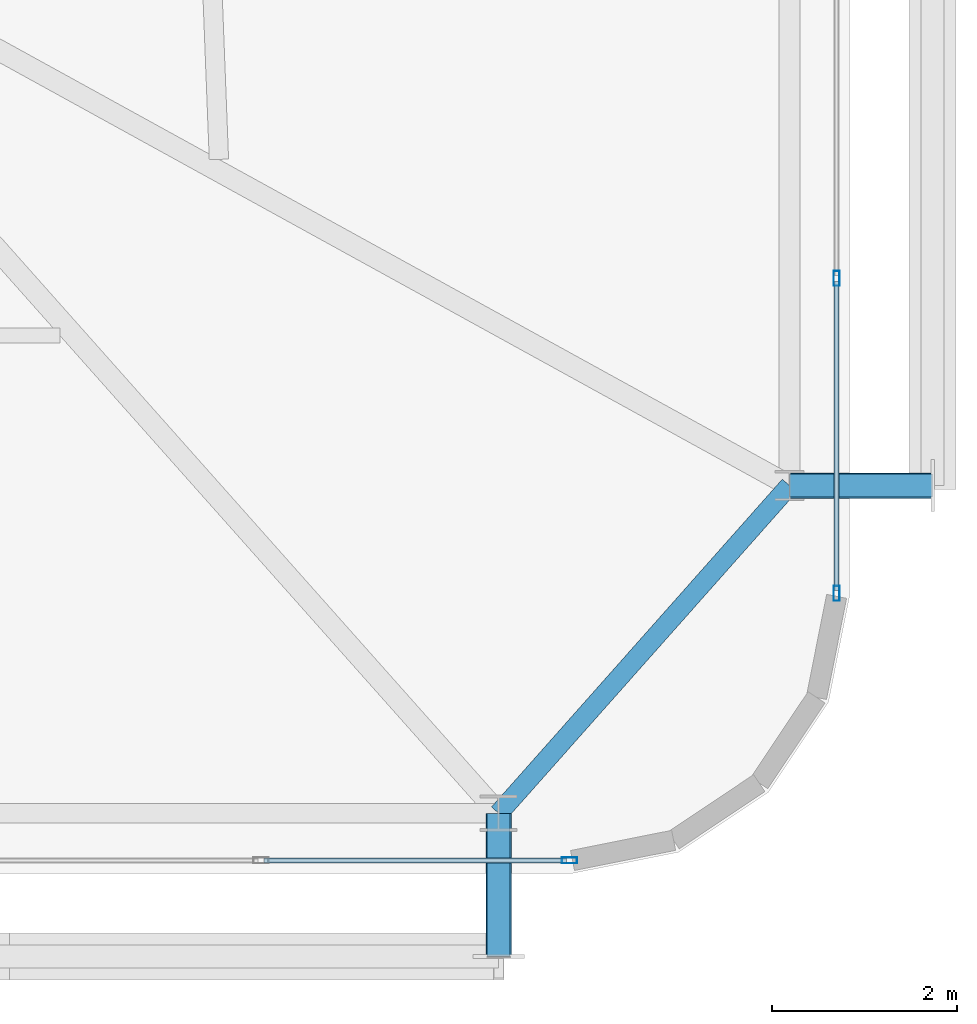
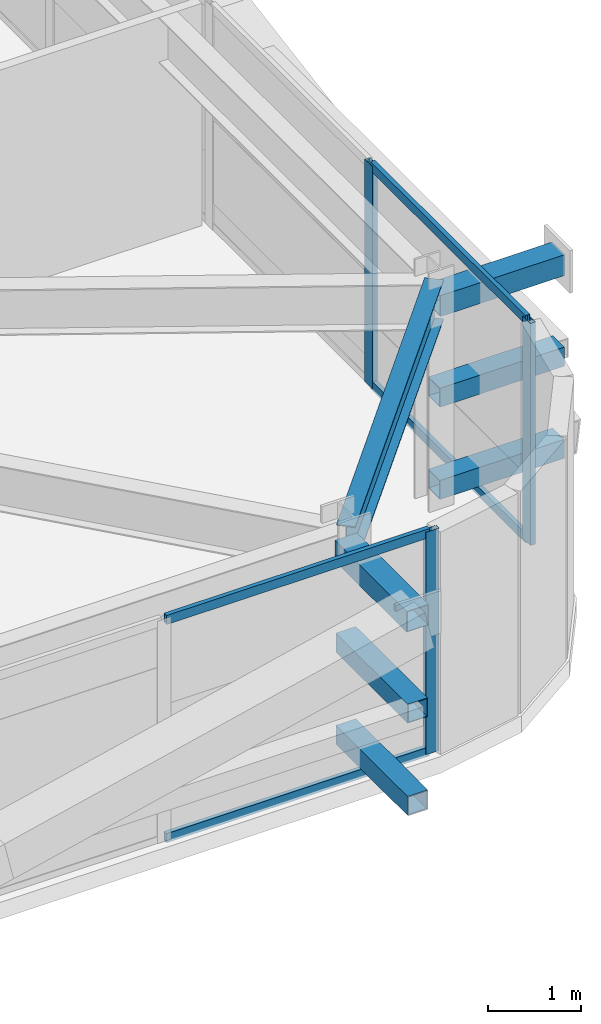
# One storey, part 24 of 58: 13 members, 1 beam, 2 elements without a shape of their own.
"""IFC4 building model written with IfcOpenShell, lengths in metres."""

from ifc_helpers import new_model, si_unit, direction, frame, origin, origin_2d, place, context, subcontext, project, spatial, hollow_rectangle, i_section, extrude, source, transform, mapped, material, layer, layer_set, material_profile, profile_set, type_object, element, aggregate, save


model = new_model("IFC4")

# Units and contexts
model_context = context("Model", 3, precision=1e-05, world=origin(), true_north=direction((0.0, 1.0)))
body_context = subcontext(model_context, "Body", "Model", "MODEL_VIEW")
ifc_project = project(units=[si_unit("LENGTHUNIT", "METRE"), si_unit("AREAUNIT", "SQUARE_METRE"), si_unit("VOLUMEUNIT", "CUBIC_METRE"), si_unit("PLANEANGLEUNIT", "RADIAN"), si_unit("MASSUNIT", "GRAM", prefix="KILO")], contexts=[model_context])

# Site, building, storey
site_placement = place(None, origin())
site = spatial("IfcSite", under=ifc_project, at=site_placement, CompositionType="ELEMENT")
building_placement = place(site_placement, origin())
building = spatial("IfcBuilding", under=site, at=building_placement, Name="Taldren Reach Tower", CompositionType="ELEMENT")
storey_placement = place(building_placement, frame((0.0, 0.0, 54.60009765625)))
storey = spatial("IfcBuildingStorey", under=building, at=storey_placement, Name="L16", CompositionType="ELEMENT", Elevation=54.60009765625)

# Beam
ifc_material_1 = material(Name="Steel Gr 350 (350PLUS)", Category="steel")
ifc_material_profile_1 = material_profile(ifc_material_1, i_section(OverallWidth=0.208984375, OverallDepth=0.528076171875, WebThickness=0.009521484375, FlangeThickness=0.01318359375, at=origin_2d()), Name="530UB82.0")
ifc_profile_set_1 = profile_set([ifc_material_profile_1], Name="Steel Gr 350 (350PLUS)")
beam_type = type_object("IfcBeamType", Name="SP-UB530B", PredefinedType="SPANDREL", material=ifc_profile_set_1)
shared_shape_1 = source(origin(), body_context, "Body", "SweptSolid", [
    extrude(i_section(OverallWidth=0.208984375, OverallDepth=0.528076171875, WebThickness=0.009521484375, FlangeThickness=0.01318359375, at=origin_2d()), origin(), (0.0, 0.0, 1.0), 4.74609375),
])
beam_placement = place(storey_placement, frame((61.199951171875, 2.14990234375, 2.666015625), z_axis=(0.663721843779, 0.747979487747, 0.0), x_axis=(-0.747979487747, 0.663721843779, 0.0)))
element("IfcBeam", 1, at=beam_placement, inside=storey, type_object=beam_type, Name="Perimeter spandrel B1 S6-E1 L16", PredefinedType="SPANDREL", context=body_context, shape_type="MappedRepresentation", body=[
    mapped(shared_shape_1, transform((0.0, 0.0, 0.0), scale=1.0)),
])

# Members
ifc_material_2 = material(Name="Steel Gr 450 (C450L0)", Category="steel")
ifc_material_profile_2 = material_profile(ifc_material_2, hollow_rectangle(XDim=0.27490234375, YDim=0.27490234375, WallThickness=0.00927734375, at=origin_2d()), Name="275x275x9.3SHS")
ifc_profile_set_2 = profile_set([ifc_material_profile_2], Name="Steel Gr 450 (C450L0)")
member_type_1 = type_object("IfcMemberType", Name="MB-TIE273", PredefinedType="STRUT", material=ifc_profile_set_2)
shared_shape_2 = source(origin(), body_context, "Body", "SweptSolid", [
    extrude(hollow_rectangle(XDim=0.27490234375, YDim=0.27490234375, WallThickness=0.00927734375, at=origin_2d()), origin(), (0.0, 0.0, 1.0), 1.5498046875),
])
for number, where, z_axis, x_axis, name in (
    (2, (61.199951171875, 2.14990234375, 2.64990234375), (0.0, -1.0, 0.0), (1.0, 0.0, 0.0), "Exoskeleton diaphragm tie strut B1-S6 L16"),
    (3, (64.35009765625, 5.699951171875, 2.64990234375), (1.0, 0.0, 0.0), (0.0, 1.0, 0.0), "Exoskeleton diaphragm tie strut B1-E1 L16"),
):
    element("IfcMember", number, at=place(storey_placement, frame(where, z_axis=z_axis, x_axis=x_axis)), inside=storey, type_object=member_type_1, Name=name, PredefinedType="STRUT", context=body_context, shape_type="MappedRepresentation", body=[
        mapped(shared_shape_2, transform((0.0, 0.0, 0.0), scale=1.0)),
    ])
ifc_material_3 = material(Name="Steel Gr 350 (C350L0)", Category="steel")
ifc_material_profile_3 = material_profile(ifc_material_3, hollow_rectangle(XDim=0.25, YDim=0.25, WallThickness=0.010009765625, at=origin_2d()), Name="250x250x10.0SHS")
ifc_profile_set_3 = profile_set([ifc_material_profile_3], Name="Steel Gr 350 (C350L0)")
member_type_2 = type_object("IfcMemberType", Name="MB-POST250", PredefinedType="POST", material=ifc_profile_set_3)
shared_shape_3 = source(origin(), body_context, "Body", "SweptSolid", [
    extrude(hollow_rectangle(XDim=0.25, YDim=0.25, WallThickness=0.010009765625, at=origin_2d()), origin(), (0.0, 0.0, 1.0), 1.5498046875),
])
for number, where, z_axis, x_axis, name in (
    (4, (61.199951171875, 2.14990234375, 0.219970703125), (0.0, -1.0, 0.0), (1.0, 0.0, 0.0), "Exoskeleton base diaphragm tie strut B1-S6 L16"),
    (5, (64.35009765625, 5.699951171875, 0.219970703125), (1.0, 0.0, 0.0), (0.0, 1.0, 0.0), "Exoskeleton base diaphragm tie strut B1-E1 L16"),
    (6, (61.199951171875, 2.14990234375, 1.434814453125), (0.0, -1.0, 0.0), (1.0, 0.0, 0.0), "Exoskeleton mid-tier diaphragm tie B1-S6 L16"),
    (7, (64.35009765625, 5.699951171875, 1.434814453125), (1.0, 0.0, 0.0), (0.0, 1.0, 0.0), "Exoskeleton mid-tier diaphragm tie B1-E1 L16"),
):
    element("IfcMember", number, at=place(storey_placement, frame(where, z_axis=z_axis, x_axis=x_axis)), inside=storey, type_object=member_type_2, Name=name, PredefinedType="POST", context=body_context, shape_type="MappedRepresentation", body=[
        mapped(shared_shape_3, transform((0.0, 0.0, 0.0), scale=1.0)),
    ])

# Curtain wall, member
ifc_material_4 = material(Name="Aluminium and Low-E Glass Unitised System", Category="aluminium")
ifc_layer = layer(ifc_material_4, 0.159912109375)
ifc_layer_set = layer_set([ifc_layer], Name="Aluminium and Low-E Glass Unitised System")
curtain_wall_type = type_object("IfcCurtainWallType", Name="CW-SYS-2", PredefinedType="NOTDEFINED", material=ifc_layer_set)
curtain_wall_1_placement = place(storey_placement, origin())
curtain_wall_1 = element("IfcCurtainWall", 8, at=curtain_wall_1_placement, inside=storey, type_object=curtain_wall_type, Name="Unitised curtain wall CW-L16-S", PredefinedType="NOTDEFINED")
ifc_material_5 = material(Name="Anodised Aluminium 6063-T6", Category="aluminium")
ifc_material_profile_4 = material_profile(ifc_material_5, hollow_rectangle(XDim=0.06494140625, YDim=0.1650390625, WallThickness=0.00390625, at=origin_2d()), Name="ALU-165x65x4RHS")
ifc_profile_set_4 = profile_set([ifc_material_profile_4], Name="Anodised Aluminium 6063-T6")
member_type_3 = type_object("IfcMemberType", Name="CW-MUL-165", PredefinedType="MULLION", material=ifc_profile_set_4)
shared_shape_4 = source(origin(), body_context, "Body", "SweptSolid", [
    extrude(hollow_rectangle(XDim=0.06494140625, YDim=0.1650390625, WallThickness=0.00390625, at=origin_2d()), origin(), (0.0, 0.0, 1.0), 2.929931640625),
])
member_1_placement = place(storey_placement, frame((61.967529296875, 1.639892578125, 0.0), z_axis=(0.0, 0.0, 1.0), x_axis=(0.0, 1.0, 0.0)))
member_1 = element("IfcMember", 9, at=member_1_placement, type_object=member_type_3, Name="CW-2 mullion 17", PredefinedType="MULLION", context=body_context, shape_type="MappedRepresentation", body=[
    mapped(shared_shape_4, transform((0.0, 0.0, 0.0), scale=1.0)),
])

# Curtain wall, members
curtain_wall_2_placement = place(storey_placement, origin())
curtain_wall_2 = element("IfcCurtainWall", 10, at=curtain_wall_2_placement, inside=storey, type_object=curtain_wall_type, Name="Unitised curtain wall CW-L16-E", PredefinedType="NOTDEFINED")
member_2_placement = place(storey_placement, frame((64.860107421875, 4.532470703125, 0.0), z_axis=(0.0, 0.0, 1.0), x_axis=(-1.0, 0.0, 0.0)))
member_2 = element("IfcMember", 11, at=member_2_placement, type_object=member_type_3, Name="CW-2 mullion 1", PredefinedType="MULLION", context=body_context, shape_type="MappedRepresentation", body=[
    mapped(shared_shape_4, transform((0.0, 0.0, 0.0), scale=1.0)),
])
member_3_placement = place(storey_placement, frame((64.860107421875, 7.9443359375, 0.0), z_axis=(0.0, 0.0, 1.0), x_axis=(-1.0, 0.0, 0.0)))
member_3 = element("IfcMember", 12, at=member_3_placement, type_object=member_type_3, Name="CW-2 mullion 2", PredefinedType="MULLION", context=body_context, shape_type="MappedRepresentation", body=[
    mapped(shared_shape_4, transform((0.0, 0.0, 0.0), scale=1.0)),
])

# Member
ifc_material_profile_5 = material_profile(ifc_material_5, hollow_rectangle(XDim=0.054931640625, YDim=0.1201171875, WallThickness=0.0029296875, at=origin_2d()), Name="ALU-120x55x3RHS")
ifc_profile_set_5 = profile_set([ifc_material_profile_5], Name="Anodised Aluminium 6063-T6")
member_type_4 = type_object("IfcMemberType", Name="CW-TRN-135", PredefinedType="USERDEFINED", material=ifc_profile_set_5)
shared_shape_5 = source(origin(), body_context, "Body", "SweptSolid", [
    extrude(hollow_rectangle(XDim=0.054931640625, YDim=0.1201171875, WallThickness=0.0029296875, at=origin_2d()), origin(), (0.0, 0.0, 1.0), 3.277587890625),
])
member_4_placement = place(storey_placement, frame((58.657470703125, 1.639892578125, 0.02734375), z_axis=(1.0, 0.0, 0.0), x_axis=(0.0, 1.0, 0.0)))
member_4 = element("IfcMember", 13, at=member_4_placement, type_object=member_type_4, Name="CW-2 transom 16.1", ObjectType="TRANSOM", PredefinedType="USERDEFINED", context=body_context, shape_type="MappedRepresentation", body=[
    mapped(shared_shape_5, transform((0.0, 0.0, 0.0), scale=1.0)),
])

member_5_placement = place(storey_placement, frame((58.657470703125, 1.639892578125, 2.90234375), z_axis=(1.0, 0.0, 0.0), x_axis=(0.0, 1.0, 0.0)))
member_5 = element("IfcMember", 14, at=member_5_placement, type_object=member_type_4, Name="CW-2 transom 16.2", ObjectType="TRANSOM", PredefinedType="USERDEFINED", context=body_context, shape_type="MappedRepresentation", body=[
    mapped(shared_shape_5, transform((0.0, 0.0, 0.0), scale=1.0)),
])

aggregate(curtain_wall_1, [member_1, member_4, member_5])

shared_shape_6 = source(origin(), body_context, "Body", "SweptSolid", [
    extrude(hollow_rectangle(XDim=0.054931640625, YDim=0.1201171875, WallThickness=0.0029296875, at=origin_2d()), origin(), (0.0, 0.0, 1.0), 3.346923828125),
])
member_6_placement = place(storey_placement, frame((64.860107421875, 4.56494140625, 0.02734375), z_axis=(0.0, 1.0, 0.0), x_axis=(-1.0, 0.0, 0.0)))
member_6 = element("IfcMember", 15, at=member_6_placement, type_object=member_type_4, Name="CW-2 transom 1.1", ObjectType="TRANSOM", PredefinedType="USERDEFINED", context=body_context, shape_type="MappedRepresentation", body=[
    mapped(shared_shape_6, transform((0.0, 0.0, 0.0), scale=1.0)),
])

member_7_placement = place(storey_placement, frame((64.860107421875, 4.56494140625, 2.90234375), z_axis=(0.0, 1.0, 0.0), x_axis=(-1.0, 0.0, 0.0)))
member_7 = element("IfcMember", 16, at=member_7_placement, type_object=member_type_4, Name="CW-2 transom 1.2", ObjectType="TRANSOM", PredefinedType="USERDEFINED", context=body_context, shape_type="MappedRepresentation", body=[
    mapped(shared_shape_6, transform((0.0, 0.0, 0.0), scale=1.0)),
])

aggregate(curtain_wall_2, [member_2, member_3, member_6, member_7])

save(model, "model.ifc")
